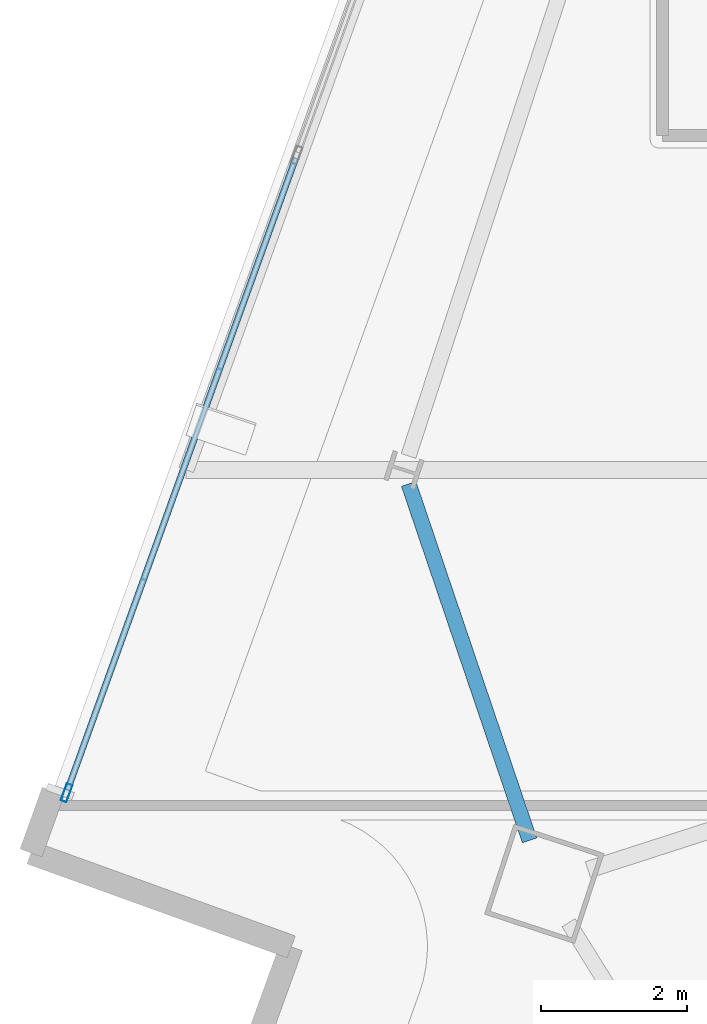
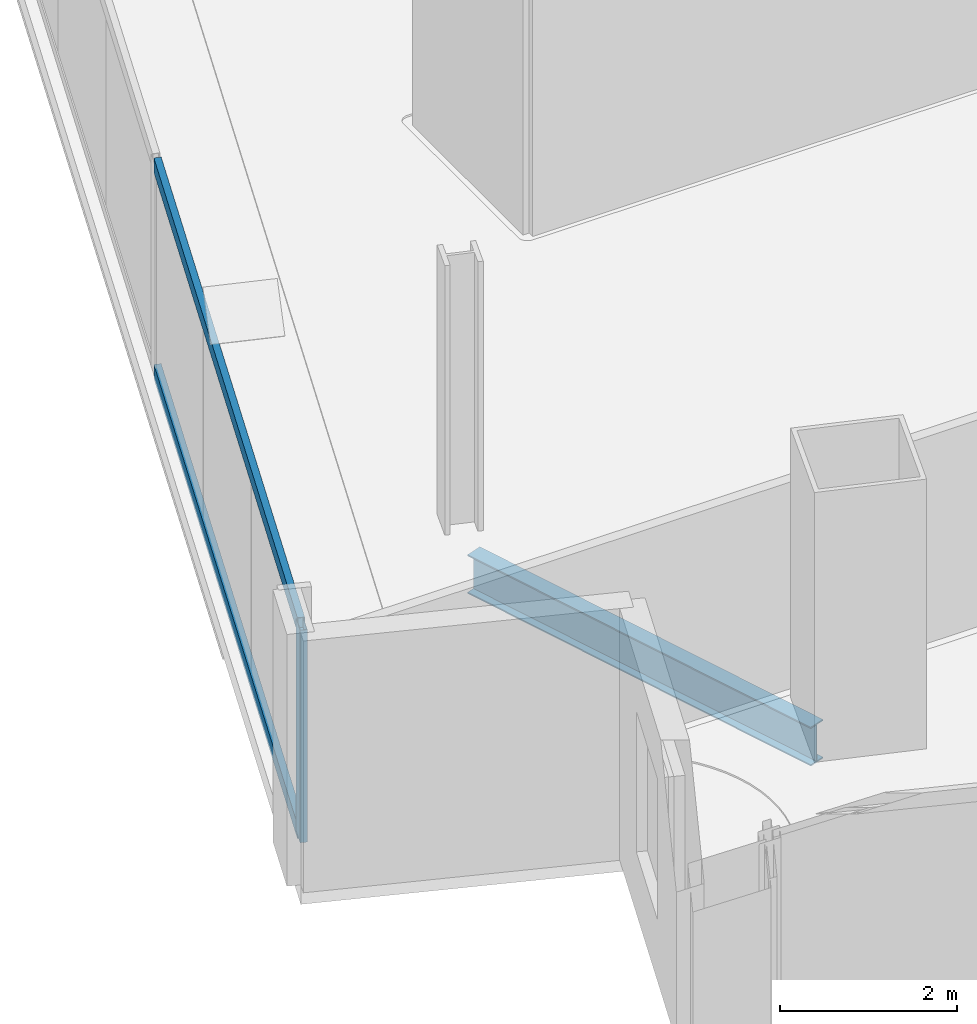
# One storey, part 5 of 27: 3 members, 1 beam, 1 element without a shape of its own.
"""IFC4 building model written with IfcOpenShell, lengths in metres."""

import ifcopenshell
import ifcopenshell.guid

model = None  # the IFC model being written
_history = None  # IfcOwnerHistory: only IFC2X3 demands one
_inside = {}  # id of a spatial element -> (the spatial element, [elements in it])
_under = {}  # id of a project, library or spatial element -> (it, [spatial elements below it])
_declared = {}  # id of a project -> (the project, [libraries it declares])
_typed = {}  # id of a type object -> (the type object, [elements of that type])
_made_of = {}  # id of a material, layer set ... -> (it, [elements and type objects made of it])


def new_model(schema):
    """Start an empty IFC model of exactly this schema.

    Asked for "IFC4X3", IfcOpenShell would pick the latest addendum, in which some entities
    have other attributes; the version numbers below select the first issue.
    IFC2X3 requires an IfcOwnerHistory on every rooted entity: one is made here for all.
    """
    global model, _history
    if schema == "IFC4X3":
        model = ifcopenshell.file(schema_version=(4, 3, 0, 0))
    else:
        model = ifcopenshell.file(schema=schema)
    _inside.clear()
    _under.clear()
    _declared.clear()
    _typed.clear()
    _made_of.clear()
    _history = None
    if model.schema == "IFC2X3":
        org = make("IfcOrganization", Name="unknown")
        user = make(
            "IfcPersonAndOrganization",
            ThePerson=make("IfcPerson", FamilyName="unknown"),
            TheOrganization=org,
        )
        app = make(
            "IfcApplication",
            ApplicationDeveloper=org,
            Version="unknown",
            ApplicationFullName="unknown",
            ApplicationIdentifier="unknown",
        )
        _history = make(
            "IfcOwnerHistory",
            OwningUser=user,
            OwningApplication=app,
            ChangeAction="ADDED",
            CreationDate=0,
        )
    return model


def make(cls, **values):
    """One entity of the class cls with the attributes given. An attribute that is None is left unset."""
    return model.create_entity(
        cls, **{name: value for name, value in values.items() if value is not None}
    )


def rooted(cls, **values):
    """An entity with a GlobalId (a new one), such as an element, a storey or a relation."""
    return make(cls, GlobalId=ifcopenshell.guid.new(), OwnerHistory=_history, **values)


def si_unit(unit_type, name, prefix=None):
    """IfcSIUnit, for example si_unit("LENGTHUNIT", "METRE", prefix="MILLI")."""
    return make("IfcSIUnit", UnitType=unit_type, Prefix=prefix, Name=name)


def assignment(units):
    """IfcUnitAssignment: the units of a project."""
    return None if units is None else make("IfcUnitAssignment", Units=units)


def point(xyz):
    """IfcCartesianPoint."""
    return None if xyz is None else make("IfcCartesianPoint", Coordinates=xyz)


def direction(xyz):
    """IfcDirection."""
    return None if xyz is None else make("IfcDirection", DirectionRatios=xyz)


def frame(location, z_axis=None, x_axis=None):
    """IfcAxis2Placement3D, a coordinate frame: its origin and axes. An axis left out is left unset."""
    return make(
        "IfcAxis2Placement3D",
        Location=point(location),
        Axis=direction(z_axis),
        RefDirection=direction(x_axis),
    )


def frame_2d(location, x_axis=None):
    """IfcAxis2Placement2D, a coordinate frame in the plane: its origin and x axis."""
    return make(
        "IfcAxis2Placement2D", Location=point(location), RefDirection=direction(x_axis)
    )


def origin():
    """The frame at (0, 0, 0) with its axes left unset."""
    return frame((0.0, 0.0, 0.0))


def origin_2d():
    """The frame at (0, 0) in the plane with its x axis left unset."""
    return frame_2d((0.0, 0.0))


def place(relative_to, where):
    """IfcLocalPlacement: puts the frame where relative to a parent placement (None: the world)."""
    return make(
        "IfcLocalPlacement", PlacementRelTo=relative_to, RelativePlacement=where
    )


def context(
    kind, dimensions, precision=None, world=None, true_north=None, identifier=None
):
    """IfcGeometricRepresentationContext, for example the 3D "Model" context."""
    return make(
        "IfcGeometricRepresentationContext",
        ContextIdentifier=identifier,
        ContextType=kind,
        CoordinateSpaceDimension=dimensions,
        Precision=precision,
        WorldCoordinateSystem=world,
        TrueNorth=true_north,
    )


def subcontext(parent, identifier, kind, view, scale=None):
    """IfcGeometricRepresentationSubContext, for example "Body" below "Model"."""
    return make(
        "IfcGeometricRepresentationSubContext",
        ContextIdentifier=identifier,
        ContextType=kind,
        ParentContext=parent,
        TargetScale=scale,
        TargetView=view,
    )


def project(units=None, contexts=None):
    """IfcProject with its units and contexts."""
    return rooted(
        "IfcProject",
        Name="project",
        RepresentationContexts=contexts,
        UnitsInContext=assignment(units),
    )


def spatial(cls, under=None, at=None, **own):
    """A site, building, storey or space (cls), placed at a placement, below another one or the project."""
    s = rooted(cls, ObjectPlacement=at, **own)
    if under is not None:
        _under.setdefault(under.id(), (under, []))[1].append(s)
    return s


def profile(cls, at=None, kind="AREA", **sizes):
    """A parametric profile (cls). Its sizes go by their IFC names, for example OverallWidth=200.0."""
    return make(cls, ProfileType=kind, Position=at, **sizes)


def hollow_rectangle(**sizes):
    """IfcRectangleHollowProfileDef."""
    return profile("IfcRectangleHollowProfileDef", **sizes)


def i_section(**sizes):
    """IfcIShapeProfileDef."""
    return profile("IfcIShapeProfileDef", **sizes)


def extrude(swept, where, along, depth):
    """IfcExtrudedAreaSolid: the profile swept, set in the frame where, extruded along a direction by depth."""
    return make(
        "IfcExtrudedAreaSolid",
        SweptArea=swept,
        Position=where,
        ExtrudedDirection=direction(along),
        Depth=depth,
    )


def shape(context_of_items, identifier, shape_type, items):
    """IfcShapeRepresentation: the items that make up one representation, for example the "Body"."""
    return make(
        "IfcShapeRepresentation",
        ContextOfItems=context_of_items,
        RepresentationIdentifier=identifier,
        RepresentationType=shape_type,
        Items=items,
    )


def material(Name=None, Category=None):
    """IfcMaterial."""
    return make("IfcMaterial", Name=Name, Category=Category)


def material_profile(
    of_material, cross_section, Name=None, Category=None, Priority=None
):
    """IfcMaterialProfile: a cross section and its material."""
    return make(
        "IfcMaterialProfile",
        Name=Name,
        Material=of_material,
        Profile=cross_section,
        Priority=Priority,
        Category=Category,
    )


def profile_set(profiles, Name=None, composite=None):
    """IfcMaterialProfileSet."""
    return make(
        "IfcMaterialProfileSet",
        Name=Name,
        MaterialProfiles=profiles,
        CompositeProfile=composite,
    )


def made_of(thing, what):
    """Note that an element or type object is made of a material, layer set ...; save() writes the relation."""
    if what is not None:
        _made_of.setdefault(what.id(), (what, []))[1].append(thing)
    return thing


def type_object(cls, material=None, **own):
    """A type object (cls), such as IfcWallType, which elements share."""
    return made_of(rooted(cls, **own), material)


def element(
    cls,
    number,
    at=None,
    inside=None,
    cuts=None,
    type_object=None,
    material=None,
    context=None,
    identifier="Body",
    shape_type=None,
    held_by="IfcProductDefinitionShape",
    body=None,
    shapes=None,
    **own,
):
    """One element of the class cls, such as IfcWall. Its Tag is "e" and its number.

    at: its placement. inside: the storey or other place that contains it. cuts: it is an
    opening in that element (IfcRelVoidsElement). A single representation is given by context,
    identifier, shape_type and body (its items); several are given by shapes. held_by: the class
    of the entity that holds the representations. save() writes the other relations.
    """
    e = rooted(cls, Tag="e%d" % number, ObjectPlacement=at, **own)
    if body is not None:
        shapes = [shape(context, identifier, shape_type, body)]
    if shapes is not None:
        e.Representation = make(held_by, Representations=shapes)
    if inside is not None:
        _inside.setdefault(inside.id(), (inside, []))[1].append(e)
    if cuts is not None:
        rooted(
            "IfcRelVoidsElement", RelatingBuildingElement=cuts, RelatedOpeningElement=e
        )
    if type_object is not None:
        _typed.setdefault(type_object.id(), (type_object, []))[1].append(e)
    return made_of(e, material)


def aggregate(whole, parts):
    """IfcRelAggregates: a whole, such as a stair, and the parts it consists of."""
    return rooted("IfcRelAggregates", RelatingObject=whole, RelatedObjects=parts)


def save(model, path):
    """Write the relations noted so far, then the file.

    IfcRelAggregates (storeys below a building ...), IfcRelContainedInSpatialStructure (elements
    in a storey), IfcRelDefinesByType, IfcRelAssociatesMaterial and IfcRelDeclares: one each for
    every whole, place, type object, material and project.
    """
    for whole, parts in _under.values():
        aggregate(whole, parts)
    for where, things in _inside.values():
        rooted(
            "IfcRelContainedInSpatialStructure",
            RelatedElements=things,
            RelatingStructure=where,
        )
    for kind, things in _typed.values():
        rooted("IfcRelDefinesByType", RelatedObjects=things, RelatingType=kind)
    for what, things in _made_of.values():
        rooted("IfcRelAssociatesMaterial", RelatedObjects=things, RelatingMaterial=what)
    for by, libraries in _declared.values():
        rooted("IfcRelDeclares", RelatingContext=by, RelatedDefinitions=libraries)
    model.write(path)


model = new_model("IFC4")

# Units and contexts
model_context = context("Model", 3, precision=1e-05, world=origin(), true_north=direction((0.0, 1.0)))
body_context = subcontext(model_context, "Body", "Model", "MODEL_VIEW")
ifc_project = project(units=[si_unit("LENGTHUNIT", "METRE"), si_unit("AREAUNIT", "SQUARE_METRE"), si_unit("VOLUMEUNIT", "CUBIC_METRE"), si_unit("PLANEANGLEUNIT", "RADIAN"), si_unit("MASSUNIT", "GRAM", prefix="KILO")], contexts=[model_context])

# Site, building, storey
site_placement = place(None, origin())
site = spatial("IfcSite", under=ifc_project, at=site_placement, CompositionType="ELEMENT")
building_placement = place(site_placement, origin())
building = spatial("IfcBuilding", under=site, at=building_placement, Name="Haldenkirk Collegiate Tower", CompositionType="ELEMENT")
storey_placement = place(building_placement, frame((0.0, 0.0, 263.699951171875)))
storey = spatial("IfcBuildingStorey", under=building, at=storey_placement, Name="L66", CompositionType="ELEMENT", Elevation=263.699951171875)

# Beam
ifc_material_1 = material(Name="Steel ASTM A992 Grade 50", Category="steel")
ifc_material_profile_1 = material_profile(ifc_material_1, i_section(OverallWidth=0.2099609375, OverallDepth=0.537109375, WebThickness=0.010986328125, FlangeThickness=0.017333984375, at=origin_2d()), Name="W21X68")
ifc_profile_set_1 = profile_set([ifc_material_profile_1], Name="Steel ASTM A992 Grade 50")
beam_type = type_object("IfcBeamType", Name="BM-SPANDREL-W21X68", PredefinedType="SPANDREL", material=ifc_profile_set_1)
beam_placement = place(storey_placement, frame((14.214599609375, 19.96630859375, -0.538330078125), z_axis=(0.321210878439, -0.947007693513, 0.0), x_axis=(0.947007693513, 0.321210878439, 0.0)))
element("IfcBeam", 1, at=beam_placement, inside=storey, type_object=beam_type, Name="L66 perimeter spandrel beam 12", PredefinedType="SPANDREL", context=body_context, shape_type="SweptSolid", body=[
    extrude(i_section(OverallWidth=0.2099609375, OverallDepth=0.537109375, WebThickness=0.010986328125, FlangeThickness=0.017333984375, at=origin_2d()), origin(), (0.0, 0.0, 1.0), 5.169189453125),
])

# Curtain wall, members
ifc_material_2 = material(Name="Anodised architectural bronze aluminium", Category="aluminium")
curtain_wall_type = type_object("IfcCurtainWallType", Name="CW-SYS1B-CONVEX-HI", PredefinedType="USERDEFINED", material=ifc_material_2)
curtain_wall_placement = place(storey_placement, origin())
curtain_wall = element("IfcCurtainWall", 2, at=curtain_wall_placement, inside=storey, type_object=curtain_wall_type, Name="L66 Upper tower high-wind convex bronze unitised curtain wall", ObjectType="UNITISED CURTAIN WALL", PredefinedType="USERDEFINED")
ifc_material_profile_2 = material_profile(ifc_material_2, hollow_rectangle(XDim=0.0849609375, YDim=0.25, WallThickness=0.0048828125, at=origin_2d()), Name="CW-MUL-1B")
ifc_profile_set_2 = profile_set([ifc_material_profile_2], Name="Anodised architectural bronze aluminium")
member_type_1 = type_object("IfcMemberType", Name="CW-MUL-1B", PredefinedType="MULLION", material=ifc_profile_set_2)
member_1_placement = place(storey_placement, frame((9.517333984375, 15.724365234375, 0.0), z_axis=(0.0, 0.0, 1.0), x_axis=(-0.940584906317, 0.339558587006, 0.0)))
member_1 = element("IfcMember", 3, at=member_1_placement, type_object=member_type_1, Name="CW-1B mullion 1", PredefinedType="MULLION", context=body_context, shape_type="SweptSolid", body=[
    extrude(hollow_rectangle(XDim=0.0849609375, YDim=0.25, WallThickness=0.0048828125, at=origin_2d()), origin(), (0.0, 0.0, 1.0), 2.93798828125),
])
ifc_material_profile_3 = material_profile(ifc_material_2, hollow_rectangle(XDim=0.0849609375, YDim=0.199951171875, WallThickness=0.0048828125, at=origin_2d()), Name="CW-TRN-1B")
ifc_profile_set_3 = profile_set([ifc_material_profile_3], Name="Anodised architectural bronze aluminium")
member_type_2 = type_object("IfcMemberType", Name="CW-TRN-1B", PredefinedType="USERDEFINED", material=ifc_profile_set_3)
member_2_placement = place(storey_placement, frame((9.53173828125, 15.764404296875, 0.04248046875), z_axis=(0.339559245306, 0.940584668665, 0.0), x_axis=(-0.940584668665, 0.339559245306, 0.0)))
member_2 = element("IfcMember", 4, at=member_2_placement, type_object=member_type_2, Name="CW-1B transom 1.1", ObjectType="TRANSOM", PredefinedType="USERDEFINED", context=body_context, shape_type="SweptSolid", body=[
    extrude(hollow_rectangle(XDim=0.0849609375, YDim=0.199951171875, WallThickness=0.0048828125, at=origin_2d()), origin(), (0.0, 0.0, 1.0), 9.222412109375),
])
member_3_placement = place(storey_placement, frame((9.53173828125, 15.764404296875, 2.8955078125), z_axis=(0.339559245306, 0.940584668665, 0.0), x_axis=(-0.940584668665, 0.339559245306, 0.0)))
member_3 = element("IfcMember", 5, at=member_3_placement, type_object=member_type_2, Name="CW-1B transom 1.2", ObjectType="TRANSOM", PredefinedType="USERDEFINED", context=body_context, shape_type="SweptSolid", body=[
    extrude(hollow_rectangle(XDim=0.0849609375, YDim=0.199951171875, WallThickness=0.0048828125, at=origin_2d()), origin(), (0.0, 0.0, 1.0), 9.222412109375),
])
aggregate(curtain_wall, [member_1, member_2, member_3])

save(model, "model.ifc")
